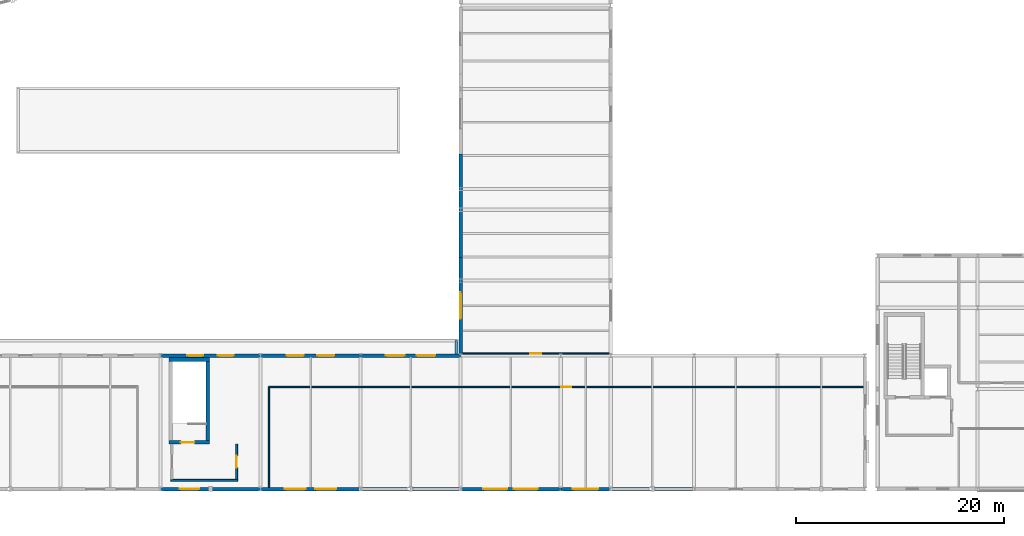
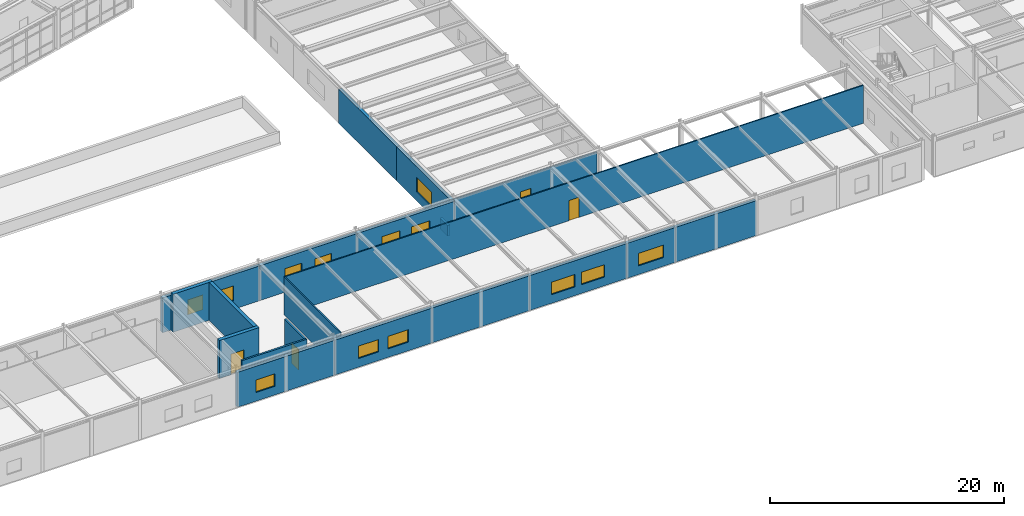
# One storey, part 81 of 99: 20 walls, 13 windows, 4 doors, 17 openings.
"""IFC4 building model written with IfcOpenShell, lengths in metres."""

from ifc_helpers import new_model, si_unit, direction, frame, frame_2d, origin, place, context, subcontext, project, spatial, rectangle, extrude, material, layer, layer_set, type_object, element, fill, save


model = new_model("IFC4")

# Units and contexts
model_context = context("Model", 3, precision=1e-05, world=origin(), true_north=direction((0.0, 1.0)))
body_context = subcontext(model_context, "Body", "Model", "MODEL_VIEW")
ifc_project = project(units=[si_unit("LENGTHUNIT", "METRE"), si_unit("AREAUNIT", "SQUARE_METRE"), si_unit("VOLUMEUNIT", "CUBIC_METRE"), si_unit("PLANEANGLEUNIT", "RADIAN"), si_unit("MASSUNIT", "GRAM", prefix="KILO")], contexts=[model_context])

# Site, building, storey
site_placement = place(None, origin())
site = spatial("IfcSite", under=ifc_project, at=site_placement, CompositionType="ELEMENT")
building_placement = place(site_placement, origin())
building = spatial("IfcBuilding", under=site, at=building_placement, Name="Nordkorset Police Headquarters", CompositionType="ELEMENT")
storey_placement = place(building_placement, frame((0.0, 0.0, 5.25)))
storey = spatial("IfcBuildingStorey", under=building, at=storey_placement, Name="L01", CompositionType="ELEMENT", Elevation=5.25)

# Wall
ifc_material_1 = material(Name="Gypsum board", Category="gypsum")
ifc_layer_1 = layer(ifc_material_1, 0.179931640625, Name="Gypsum board")
ifc_layer_set_1 = layer_set([ifc_layer_1], Name="Gypsum board")
wall_type_1 = type_object("IfcWallType", Name="Wall_Comp_180", PredefinedType="PARTITIONING", material=ifc_layer_set_1)
wall_1_placement = place(storey_placement, frame((58.60009765625, 0.840087890625, 0.0), z_axis=(0.0, 0.0, 1.0), x_axis=(1.0, 0.0, 0.0)))
element("IfcWall", 1, at=wall_1_placement, inside=storey, type_object=wall_type_1, Name="Firefighting Lobby EI 60 Wall K9 L01 S", PredefinedType="PARTITIONING", context=body_context, shape_type="SweptSolid", body=[
    extrude(rectangle(XDim=6.39990234375, YDim=0.179931640625, at=frame_2d((3.199951171875, 0.0))), origin(), (0.0, 0.0, 1.0), 3.9599609375),
])

# Wall, opening, door
wall_2_placement = place(storey_placement, frame((64.909912109375, 0.929931640625, 0.0), z_axis=(0.0, 0.0, 1.0), x_axis=(0.0, 1.0, 0.0)))
wall_2 = element("IfcWall", 2, at=wall_2_placement, inside=storey, type_object=wall_type_1, Name="Firefighting Lobby EI 60 Wall K9 L01 E", PredefinedType="PARTITIONING", context=body_context, shape_type="SweptSolid", body=[
    extrude(rectangle(XDim=3.375, YDim=0.179931640625, at=frame_2d((1.6875, 0.0))), origin(), (0.0, 0.0, 1.0), 3.9599609375),
])
opening_1_placement = place(wall_2_placement, frame((1.112548828125, 0.0, 0.0)))
opening_1 = element("IfcOpeningElement", 3, at=opening_1_placement, cuts=wall_2, Name="Opening DR-01", PredefinedType="OPENING", context=body_context, shape_type="SweptSolid", body=[
    extrude(rectangle(XDim=1.14990234375, YDim=2.14990234375, at=frame_2d((0.574951171875, 1.074951171875))), frame((0.0, 0.10009765625, 0.0), z_axis=(0.0, -1.0, 0.0), x_axis=(1.0, 0.0, 0.0)), (0.0, 0.0, 1.0), 0.199951171875),
])
ifc_material_2 = material(Name="Steel S355J2", Category="steel")
door_type_1 = type_object("IfcDoorType", Name="Door_LobbySingle_1150x2150", OperationType="NOTDEFINED", PredefinedType="DOOR", material=ifc_material_2)
door_1_placement = place(opening_1_placement, origin())
door_1 = element("IfcDoor", 4, at=door_1_placement, inside=storey, type_object=door_type_1, Name="Firefighting Lobby Smoke Door K9 L01 E", OperationType="SINGLE_SWING_RIGHT", OverallHeight=2.14990234375, OverallWidth=1.14990234375, PredefinedType="DOOR", context=body_context, shape_type="SweptSolid", body=[
    extrude(rectangle(XDim=1.14990234375, YDim=2.14990234375, at=frame_2d((0.574951171875, 1.074951171875))), frame((0.0, 0.02490234375, 0.0), z_axis=(0.0, -1.0, 0.0), x_axis=(1.0, 0.0, 0.0)), (0.0, 0.0, 1.0), 0.050048828125),
])
fill(opening_1, door_1)

ifc_material_3 = material(Name="Concrete C35/45", Category="concrete")
ifc_layer_2 = layer(ifc_material_3, 0.35009765625, Name="Concrete C35/45")
ifc_layer_set_2 = layer_set([ifc_layer_2], Name="Concrete C35/45")
wall_type_2 = type_object("IfcWallType", Name="Wall_CoreShear_350", PredefinedType="SHEAR", material=ifc_layer_set_2)
wall_3_placement = place(storey_placement, frame((58.425048828125, 4.47998046875, 0.0), z_axis=(0.0, 0.0, 1.0), x_axis=(1.0, 0.0, 0.0)))
wall_3 = element("IfcWall", 5, at=wall_3_placement, inside=storey, type_object=wall_type_2, Name="Core K9 Stair Shaft South Shear Wall L01", PredefinedType="SHEAR", context=body_context, shape_type="SweptSolid", body=[
    extrude(rectangle(XDim=3.89990234375, YDim=0.35009765625, at=frame_2d((1.949951171875, 0.0))), origin(), (0.0, 0.0, 1.0), 3.9599609375),
])
opening_2_placement = place(wall_3_placement, frame((1.125, 0.0, 0.0)))
opening_2 = element("IfcOpeningElement", 6, at=opening_2_placement, cuts=wall_3, Name="Opening DR-20", PredefinedType="OPENING", context=body_context, shape_type="SweptSolid", body=[
    extrude(rectangle(XDim=1.300048828125, YDim=2.14990234375, at=frame_2d((0.64990234375, 1.074951171875))), frame((0.0, 0.18505859375, 0.0), z_axis=(0.0, -1.0, 0.0), x_axis=(1.0, 0.0, 0.0)), (0.0, 0.0, 1.0), 0.3701171875),
])
ifc_material_4 = material(Name="Steel S355J2", Category="steel")
door_type_2 = type_object("IfcDoorType", Name="Door_Stair_1300x2150", OperationType="NOTDEFINED", PredefinedType="DOOR", material=ifc_material_4)
door_2_placement = place(opening_2_placement, frame((1.300048828125, 0.0, 0.0), z_axis=(0.0, 0.0, 1.0), x_axis=(-1.0, 0.0, 0.0)))
door_2 = element("IfcDoor", 7, at=door_2_placement, inside=storey, type_object=door_type_2, Name="Protected Stair Fire Door ST-10 L01", OperationType="SINGLE_SWING_RIGHT", OverallHeight=2.14990234375, OverallWidth=1.300048828125, PredefinedType="DOOR", context=body_context, shape_type="SweptSolid", body=[
    extrude(rectangle(XDim=1.300048828125, YDim=2.14990234375, at=frame_2d((0.64990234375, 1.074951171875))), frame((0.0, 0.02490234375, 0.0), z_axis=(0.0, -1.0, 0.0), x_axis=(1.0, 0.0, 0.0)), (0.0, 0.0, 1.0), 0.050048828125),
])
fill(opening_2, door_2)

# Walls
wall_4_placement = place(storey_placement, frame((58.425048828125, 12.429931640625, 0.0), z_axis=(0.0, 0.0, 1.0), x_axis=(1.0, 0.0, 0.0)))
element("IfcWall", 8, at=wall_4_placement, inside=storey, type_object=wall_type_2, Name="Core K9 Stair Shaft North Shear Wall L01", PredefinedType="SHEAR", context=body_context, shape_type="SweptSolid", body=[
    extrude(rectangle(XDim=3.89990234375, YDim=0.35009765625, at=frame_2d((1.949951171875, 0.0))), origin(), (0.0, 0.0, 1.0), 3.9599609375),
])
wall_5_placement = place(storey_placement, frame((62.14990234375, 4.655029296875, 0.0), z_axis=(0.0, 0.0, 1.0), x_axis=(0.0, 1.0, 0.0)))
element("IfcWall", 9, at=wall_5_placement, inside=storey, type_object=wall_type_2, Name="Core K9 Stair Shaft East Shear Wall L01", PredefinedType="SHEAR", context=body_context, shape_type="SweptSolid", body=[
    extrude(rectangle(XDim=7.599853515625, YDim=0.35009765625, at=frame_2d((3.7998046875, 0.0))), origin(), (0.0, 0.0, 1.0), 3.9599609375),
])

# Wall, opening, window
ifc_material_5 = material(Name="Precast concrete C40/50", Category="concrete")
ifc_layer_3 = layer(ifc_material_5, 0.320068359375, Name="Precast concrete C40/50")
ifc_layer_set_3 = layer_set([ifc_layer_3], Name="Precast concrete C40/50")
wall_type_3 = type_object("IfcWallType", Name="Wall_ExtPlinth_320", PredefinedType="SOLIDWALL", material=ifc_layer_set_3)
wall_6_placement = place(storey_placement, frame((57.60791015625, 0.0, 0.0), z_axis=(0.0, 0.0, 1.0), x_axis=(1.0, 0.0, 0.0)))
wall_6 = element("IfcWall", 10, at=wall_6_placement, inside=storey, type_object=wall_type_3, Name="Exterior Insulated Precast Wall L01 V7S-6", PredefinedType="SOLIDWALL", context=body_context, shape_type="SweptSolid", body=[
    extrude(rectangle(XDim=9.583984375, YDim=0.320068359375, at=frame_2d((4.7919921875, 0.0))), origin(), (0.0, 0.0, 1.0), 3.635009765625),
])
opening_3_placement = place(wall_6_placement, frame((1.850341796875, 0.0, 0.89990234375)))
opening_3 = element("IfcOpeningElement", 11, at=opening_3_placement, cuts=wall_6, Name="Opening WN-20", PredefinedType="OPENING", context=body_context, shape_type="SweptSolid", body=[
    extrude(rectangle(XDim=1.85009765625, YDim=1.300048828125, at=frame_2d((0.925048828125, 0.64990234375))), frame((0.0, 0.169921875, 0.0), z_axis=(0.0, -1.0, 0.0), x_axis=(1.0, 0.0, 0.0)), (0.0, 0.0, 1.0), 0.340087890625),
])
ifc_material_6 = material(Name="Low-iron triple glazing", Category="glass")
window_type_1 = type_object("IfcWindowType", Name="Win_1850x1300", PartitioningType="SINGLE_PANEL", PredefinedType="WINDOW", material=ifc_material_6)
window_1_placement = place(opening_3_placement, origin())
window_1 = element("IfcWindow", 12, at=window_1_placement, inside=storey, type_object=window_type_1, Name="Triple-Glazed Exterior Window L01 V7S-6-1", OverallHeight=1.300048828125, OverallWidth=1.85009765625, PartitioningType="SINGLE_PANEL", PredefinedType="WINDOW", context=body_context, shape_type="SweptSolid", body=[
    extrude(rectangle(XDim=1.85009765625, YDim=1.300048828125, at=frame_2d((0.925048828125, 0.64990234375))), frame((0.0, 0.030029296875, 0.0), z_axis=(0.0, -1.0, 0.0), x_axis=(1.0, 0.0, 0.0)), (0.0, 0.0, 1.0), 0.06005859375),
])
fill(opening_3, window_1)

# Wall, openings, windows
wall_7_placement = place(storey_placement, frame((67.2080078125, 0.0, 0.0), z_axis=(0.0, 0.0, 1.0), x_axis=(1.0, 0.0, 0.0)))
wall_7 = element("IfcWall", 13, at=wall_7_placement, inside=storey, type_object=wall_type_3, Name="Exterior Insulated Precast Wall L01 V7S-7", PredefinedType="SOLIDWALL", context=body_context, shape_type="SweptSolid", body=[
    extrude(rectangle(XDim=9.583984375, YDim=0.320068359375, at=frame_2d((4.7919921875, 0.0))), origin(), (0.0, 0.0, 1.0), 3.635009765625),
])
opening_4_placement = place(wall_7_placement, frame((2.3251953125, 0.0, 0.89990234375)))
opening_4 = element("IfcOpeningElement", 14, at=opening_4_placement, cuts=wall_7, Name="Opening WN-38", PredefinedType="OPENING", context=body_context, shape_type="SweptSolid", body=[
    extrude(rectangle(XDim=2.0, YDim=1.300048828125, at=frame_2d((1.0, 0.64990234375))), frame((0.0, 0.169921875, 0.0), z_axis=(0.0, -1.0, 0.0), x_axis=(1.0, 0.0, 0.0)), (0.0, 0.0, 1.0), 0.340087890625),
])
opening_5_placement = place(wall_7_placement, frame((5.2587890625, 0.0, 0.89990234375)))
opening_5 = element("IfcOpeningElement", 15, at=opening_5_placement, cuts=wall_7, Name="Opening WN-38", PredefinedType="OPENING", context=body_context, shape_type="SweptSolid", body=[
    extrude(rectangle(XDim=2.0, YDim=1.300048828125, at=frame_2d((1.0, 0.64990234375))), frame((0.0, 0.169921875, 0.0), z_axis=(0.0, -1.0, 0.0), x_axis=(1.0, 0.0, 0.0)), (0.0, 0.0, 1.0), 0.340087890625),
])
ifc_material_7 = material(Name="Low-iron triple glazing", Category="glass")
window_type_2 = type_object("IfcWindowType", Name="Win_2000x1300", PartitioningType="SINGLE_PANEL", PredefinedType="WINDOW", material=ifc_material_7)
window_2_placement = place(opening_4_placement, origin())
window_2 = element("IfcWindow", 16, at=window_2_placement, inside=storey, type_object=window_type_2, Name="Triple-Glazed Exterior Window L01 V7S-7-1", OverallHeight=1.300048828125, OverallWidth=2.0, PartitioningType="SINGLE_PANEL", PredefinedType="WINDOW", context=body_context, shape_type="SweptSolid", body=[
    extrude(rectangle(XDim=2.0, YDim=1.300048828125, at=frame_2d((1.0, 0.64990234375))), frame((0.0, 0.030029296875, 0.0), z_axis=(0.0, -1.0, 0.0), x_axis=(1.0, 0.0, 0.0)), (0.0, 0.0, 1.0), 0.06005859375),
])
fill(opening_4, window_2)
window_3_placement = place(opening_5_placement, origin())
window_3 = element("IfcWindow", 17, at=window_3_placement, inside=storey, type_object=window_type_2, Name="Triple-Glazed Exterior Window L01 V7S-7-2", OverallHeight=1.300048828125, OverallWidth=2.0, PartitioningType="SINGLE_PANEL", PredefinedType="WINDOW", context=body_context, shape_type="SweptSolid", body=[
    extrude(rectangle(XDim=2.0, YDim=1.300048828125, at=frame_2d((1.0, 0.64990234375))), frame((0.0, 0.030029296875, 0.0), z_axis=(0.0, -1.0, 0.0), x_axis=(1.0, 0.0, 0.0)), (0.0, 0.0, 1.0), 0.06005859375),
])
fill(opening_5, window_3)

# Wall
wall_8_placement = place(storey_placement, frame((76.80810546875, 0.0, 0.0), z_axis=(0.0, 0.0, 1.0), x_axis=(1.0, 0.0, 0.0)))
element("IfcWall", 18, at=wall_8_placement, inside=storey, type_object=wall_type_3, Name="Exterior Insulated Precast Wall L01 V7S-8", PredefinedType="SOLIDWALL", context=body_context, shape_type="SweptSolid", body=[
    extrude(rectangle(XDim=9.583984375, YDim=0.320068359375, at=frame_2d((4.7919921875, 0.0))), origin(), (0.0, 0.0, 1.0), 3.635009765625),
])

# Wall, openings, windows
wall_9_placement = place(storey_placement, frame((86.407958984375, 0.0, 0.0), z_axis=(0.0, 0.0, 1.0), x_axis=(1.0, 0.0, 0.0)))
wall_9 = element("IfcWall", 19, at=wall_9_placement, inside=storey, type_object=wall_type_3, Name="Exterior Insulated Precast Wall L01 V7S-9", PredefinedType="SOLIDWALL", context=body_context, shape_type="SweptSolid", body=[
    extrude(rectangle(XDim=9.583984375, YDim=0.320068359375, at=frame_2d((4.7919921875, 0.0))), origin(), (0.0, 0.0, 1.0), 3.635009765625),
])
opening_6_placement = place(wall_9_placement, frame((2.17529296875, 0.0, 0.89990234375)))
opening_6 = element("IfcOpeningElement", 20, at=opening_6_placement, cuts=wall_9, Name="Opening WN-32", PredefinedType="OPENING", context=body_context, shape_type="SweptSolid", body=[
    extrude(rectangle(XDim=2.300048828125, YDim=1.300048828125, at=frame_2d((1.14990234375, 0.64990234375))), frame((0.0, 0.169921875, 0.0), z_axis=(0.0, -1.0, 0.0), x_axis=(1.0, 0.0, 0.0)), (0.0, 0.0, 1.0), 0.340087890625),
])
opening_7_placement = place(wall_9_placement, frame((5.108642578125, 0.0, 0.89990234375)))
opening_7 = element("IfcOpeningElement", 21, at=opening_7_placement, cuts=wall_9, Name="Opening WN-32", PredefinedType="OPENING", context=body_context, shape_type="SweptSolid", body=[
    extrude(rectangle(XDim=2.300048828125, YDim=1.300048828125, at=frame_2d((1.14990234375, 0.64990234375))), frame((0.0, 0.169921875, 0.0), z_axis=(0.0, -1.0, 0.0), x_axis=(1.0, 0.0, 0.0)), (0.0, 0.0, 1.0), 0.340087890625),
])
ifc_material_8 = material(Name="Low-iron triple glazing", Category="glass")
window_type_3 = type_object("IfcWindowType", Name="Win_2300x1300", PartitioningType="SINGLE_PANEL", PredefinedType="WINDOW", material=ifc_material_8)
window_4_placement = place(opening_6_placement, origin())
window_4 = element("IfcWindow", 22, at=window_4_placement, inside=storey, type_object=window_type_3, Name="Triple-Glazed Exterior Window L01 V7S-9-1", OverallHeight=1.300048828125, OverallWidth=2.300048828125, PartitioningType="SINGLE_PANEL", PredefinedType="WINDOW", context=body_context, shape_type="SweptSolid", body=[
    extrude(rectangle(XDim=2.300048828125, YDim=1.300048828125, at=frame_2d((1.14990234375, 0.64990234375))), frame((0.0, 0.030029296875, 0.0), z_axis=(0.0, -1.0, 0.0), x_axis=(1.0, 0.0, 0.0)), (0.0, 0.0, 1.0), 0.06005859375),
])
fill(opening_6, window_4)
window_5_placement = place(opening_7_placement, origin())
window_5 = element("IfcWindow", 23, at=window_5_placement, inside=storey, type_object=window_type_3, Name="Triple-Glazed Exterior Window L01 V7S-9-2", OverallHeight=1.300048828125, OverallWidth=2.300048828125, PartitioningType="SINGLE_PANEL", PredefinedType="WINDOW", context=body_context, shape_type="SweptSolid", body=[
    extrude(rectangle(XDim=2.300048828125, YDim=1.300048828125, at=frame_2d((1.14990234375, 0.64990234375))), frame((0.0, 0.030029296875, 0.0), z_axis=(0.0, -1.0, 0.0), x_axis=(1.0, 0.0, 0.0)), (0.0, 0.0, 1.0), 0.06005859375),
])
fill(opening_7, window_5)

# Wall, opening, window
wall_10_placement = place(storey_placement, frame((96.008056640625, 0.0, 0.0), z_axis=(0.0, 0.0, 1.0), x_axis=(1.0, 0.0, 0.0)))
wall_10 = element("IfcWall", 24, at=wall_10_placement, inside=storey, type_object=wall_type_3, Name="Exterior Insulated Precast Wall L01 V7S-10", PredefinedType="SOLIDWALL", context=body_context, shape_type="SweptSolid", body=[
    extrude(rectangle(XDim=4.783935546875, YDim=0.320068359375, at=frame_2d((2.39208984375, 0.0))), origin(), (0.0, 0.0, 1.0), 3.635009765625),
])
opening_8_placement = place(wall_10_placement, frame((1.1669921875, 0.0, 0.89990234375)))
opening_8 = element("IfcOpeningElement", 25, at=opening_8_placement, cuts=wall_10, Name="Opening WN-46", PredefinedType="OPENING", context=body_context, shape_type="SweptSolid", body=[
    extrude(rectangle(XDim=2.449951171875, YDim=1.300048828125, at=frame_2d((1.22509765625, 0.64990234375))), frame((0.0, 0.169921875, 0.0), z_axis=(0.0, -1.0, 0.0), x_axis=(1.0, 0.0, 0.0)), (0.0, 0.0, 1.0), 0.340087890625),
])
ifc_material_9 = material(Name="Low-iron triple glazing", Category="glass")
window_type_4 = type_object("IfcWindowType", Name="Win_2450x1300", PartitioningType="SINGLE_PANEL", PredefinedType="WINDOW", material=ifc_material_9)
window_6_placement = place(opening_8_placement, origin())
window_6 = element("IfcWindow", 26, at=window_6_placement, inside=storey, type_object=window_type_4, Name="Triple-Glazed Exterior Window L01 V7S-10-1", OverallHeight=1.300048828125, OverallWidth=2.449951171875, PartitioningType="SINGLE_PANEL", PredefinedType="WINDOW", context=body_context, shape_type="SweptSolid", body=[
    extrude(rectangle(XDim=2.449951171875, YDim=1.300048828125, at=frame_2d((1.22509765625, 0.64990234375))), frame((0.0, 0.030029296875, 0.0), z_axis=(0.0, -1.0, 0.0), x_axis=(1.0, 0.0, 0.0)), (0.0, 0.0, 1.0), 0.06005859375),
])
fill(opening_8, window_6)

# Wall
wall_11_placement = place(storey_placement, frame((100.80810546875, 0.0, 0.0), z_axis=(0.0, 0.0, 1.0), x_axis=(1.0, 0.0, 0.0)))
element("IfcWall", 27, at=wall_11_placement, inside=storey, type_object=wall_type_3, Name="Exterior Insulated Precast Wall L01 V7S-11", PredefinedType="SOLIDWALL", context=body_context, shape_type="SweptSolid", body=[
    extrude(rectangle(XDim=7.98388671875, YDim=0.320068359375, at=frame_2d((3.991943359375, 0.0))), origin(), (0.0, 0.0, 1.0), 3.635009765625),
])

# Wall, opening, window
wall_12_placement = place(storey_placement, frame((86.39990234375, 12.971923828125, 0.0), z_axis=(0.0, 0.0, 1.0), x_axis=(0.0, 1.0, 0.0)))
wall_12 = element("IfcWall", 28, at=wall_12_placement, inside=storey, type_object=wall_type_3, Name="Exterior Insulated Precast Wall L01 V7E-IN-0", PredefinedType="SOLIDWALL", context=body_context, shape_type="SweptSolid", body=[
    extrude(rectangle(XDim=9.588134765625, YDim=0.320068359375, at=frame_2d((4.7939453125, 0.0))), origin(), (0.0, 0.0, 1.0), 3.554931640625),
])
opening_9_placement = place(wall_12_placement, frame((3.35302734375, 0.0, 0.89990234375)))
opening_9 = element("IfcOpeningElement", 29, at=opening_9_placement, cuts=wall_12, Name="Opening WN-06", PredefinedType="OPENING", context=body_context, shape_type="SweptSolid", body=[
    extrude(rectangle(XDim=2.550048828125, YDim=1.550048828125, at=frame_2d((1.27490234375, 0.77490234375))), frame((0.0, 0.169921875, 0.0), z_axis=(0.0, -1.0, 0.0), x_axis=(1.0, 0.0, 0.0)), (0.0, 0.0, 1.0), 0.340087890625),
])
ifc_material_10 = material(Name="Low-iron triple glazing", Category="glass")
window_type_5 = type_object("IfcWindowType", Name="Win_2550x1550", PartitioningType="SINGLE_PANEL", PredefinedType="WINDOW", material=ifc_material_10)
window_7_placement = place(opening_9_placement, origin())
window_7 = element("IfcWindow", 30, at=window_7_placement, inside=storey, type_object=window_type_5, Name="Triple-Glazed Exterior Window L01 V7E-IN-0-1", OverallHeight=1.550048828125, OverallWidth=2.550048828125, PartitioningType="SINGLE_PANEL", PredefinedType="WINDOW", context=body_context, shape_type="SweptSolid", body=[
    extrude(rectangle(XDim=2.550048828125, YDim=1.550048828125, at=frame_2d((1.27490234375, 0.77490234375))), frame((0.0, 0.030029296875, 0.0), z_axis=(0.0, -1.0, 0.0), x_axis=(1.0, 0.0, 0.0)), (0.0, 0.0, 1.0), 0.06005859375),
])
fill(opening_9, window_7)

# Wall
wall_13_placement = place(storey_placement, frame((86.39990234375, 22.239990234375, 0.0), z_axis=(0.0, 0.0, 1.0), x_axis=(0.0, 1.0, 0.0)))
element("IfcWall", 31, at=wall_13_placement, inside=storey, type_object=wall_type_3, Name="Exterior Insulated Precast Wall L01 V7E-IN-1", PredefinedType="SOLIDWALL", context=body_context, shape_type="SweptSolid", body=[
    extrude(rectangle(XDim=9.919921875, YDim=0.320068359375, at=frame_2d((4.9599609375, 0.0))), origin(), (0.0, 0.0, 1.0), 3.554931640625),
])

# Wall, openings, windows
wall_14_placement = place(storey_placement, frame((57.60791015625, 12.800048828125, 0.0), z_axis=(0.0, 0.0, 1.0), x_axis=(1.0, 0.0, 0.0)))
wall_14 = element("IfcWall", 32, at=wall_14_placement, inside=storey, type_object=wall_type_3, Name="Exterior Insulated Precast Wall L01 V7N-6", PredefinedType="SOLIDWALL", context=body_context, shape_type="SweptSolid", body=[
    extrude(rectangle(XDim=9.583984375, YDim=0.320068359375, at=frame_2d((4.7919921875, 0.0))), origin(), (0.0, 0.0, 1.0), 3.635009765625),
])
opening_10_placement = place(wall_14_placement, frame((2.5751953125, 0.0, 0.89990234375)))
opening_10 = element("IfcOpeningElement", 33, at=opening_10_placement, cuts=wall_14, Name="Opening WN-50", PredefinedType="OPENING", context=body_context, shape_type="SweptSolid", body=[
    extrude(rectangle(XDim=1.5, YDim=1.550048828125, at=frame_2d((0.75, 0.77490234375))), frame((0.0, 0.169921875, 0.0), z_axis=(0.0, -1.0, 0.0), x_axis=(1.0, 0.0, 0.0)), (0.0, 0.0, 1.0), 0.340087890625),
])
opening_11_placement = place(wall_14_placement, frame((5.5087890625, 0.0, 0.89990234375)))
opening_11 = element("IfcOpeningElement", 34, at=opening_11_placement, cuts=wall_14, Name="Opening WN-50", PredefinedType="OPENING", context=body_context, shape_type="SweptSolid", body=[
    extrude(rectangle(XDim=1.5, YDim=1.550048828125, at=frame_2d((0.75, 0.77490234375))), frame((0.0, 0.169921875, 0.0), z_axis=(0.0, -1.0, 0.0), x_axis=(1.0, 0.0, 0.0)), (0.0, 0.0, 1.0), 0.340087890625),
])
ifc_material_11 = material(Name="Low-iron triple glazing", Category="glass")
window_type_6 = type_object("IfcWindowType", Name="Win_1500x1550", PartitioningType="SINGLE_PANEL", PredefinedType="WINDOW", material=ifc_material_11)
window_8_placement = place(opening_10_placement, origin())
window_8 = element("IfcWindow", 35, at=window_8_placement, inside=storey, type_object=window_type_6, Name="Triple-Glazed Exterior Window L01 V7N-6-1", OverallHeight=1.550048828125, OverallWidth=1.5, PartitioningType="SINGLE_PANEL", PredefinedType="WINDOW", context=body_context, shape_type="SweptSolid", body=[
    extrude(rectangle(XDim=1.5, YDim=1.550048828125, at=frame_2d((0.75, 0.77490234375))), frame((0.0, 0.030029296875, 0.0), z_axis=(0.0, -1.0, 0.0), x_axis=(1.0, 0.0, 0.0)), (0.0, 0.0, 1.0), 0.06005859375),
])
fill(opening_10, window_8)
window_9_placement = place(opening_11_placement, origin())
window_9 = element("IfcWindow", 36, at=window_9_placement, inside=storey, type_object=window_type_6, Name="Triple-Glazed Exterior Window L01 V7N-6-2", OverallHeight=1.550048828125, OverallWidth=1.5, PartitioningType="SINGLE_PANEL", PredefinedType="WINDOW", context=body_context, shape_type="SweptSolid", body=[
    extrude(rectangle(XDim=1.5, YDim=1.550048828125, at=frame_2d((0.75, 0.77490234375))), frame((0.0, 0.030029296875, 0.0), z_axis=(0.0, -1.0, 0.0), x_axis=(1.0, 0.0, 0.0)), (0.0, 0.0, 1.0), 0.06005859375),
])
fill(opening_11, window_9)

wall_15_placement = place(storey_placement, frame((67.2080078125, 12.800048828125, 0.0), z_axis=(0.0, 0.0, 1.0), x_axis=(1.0, 0.0, 0.0)))
wall_15 = element("IfcWall", 37, at=wall_15_placement, inside=storey, type_object=wall_type_3, Name="Exterior Insulated Precast Wall L01 V7N-7", PredefinedType="SOLIDWALL", context=body_context, shape_type="SweptSolid", body=[
    extrude(rectangle(XDim=9.583984375, YDim=0.320068359375, at=frame_2d((4.7919921875, 0.0))), origin(), (0.0, 0.0, 1.0), 3.635009765625),
])
opening_12_placement = place(wall_15_placement, frame((2.500244140625, 0.0, 0.89990234375)))
opening_12 = element("IfcOpeningElement", 38, at=opening_12_placement, cuts=wall_15, Name="Opening WN-43", PredefinedType="OPENING", context=body_context, shape_type="SweptSolid", body=[
    extrude(rectangle(XDim=1.64990234375, YDim=1.550048828125, at=frame_2d((0.824951171875, 0.77490234375))), frame((0.0, 0.169921875, 0.0), z_axis=(0.0, -1.0, 0.0), x_axis=(1.0, 0.0, 0.0)), (0.0, 0.0, 1.0), 0.340087890625),
])
opening_13_placement = place(wall_15_placement, frame((5.43359375, 0.0, 0.89990234375)))
opening_13 = element("IfcOpeningElement", 39, at=opening_13_placement, cuts=wall_15, Name="Opening WN-43", PredefinedType="OPENING", context=body_context, shape_type="SweptSolid", body=[
    extrude(rectangle(XDim=1.64990234375, YDim=1.550048828125, at=frame_2d((0.824951171875, 0.77490234375))), frame((0.0, 0.169921875, 0.0), z_axis=(0.0, -1.0, 0.0), x_axis=(1.0, 0.0, 0.0)), (0.0, 0.0, 1.0), 0.340087890625),
])
ifc_material_12 = material(Name="Low-iron triple glazing", Category="glass")
window_type_7 = type_object("IfcWindowType", Name="Win_1650x1550", PartitioningType="SINGLE_PANEL", PredefinedType="WINDOW", material=ifc_material_12)
window_10_placement = place(opening_12_placement, origin())
window_10 = element("IfcWindow", 40, at=window_10_placement, inside=storey, type_object=window_type_7, Name="Triple-Glazed Exterior Window L01 V7N-7-1", OverallHeight=1.550048828125, OverallWidth=1.64990234375, PartitioningType="SINGLE_PANEL", PredefinedType="WINDOW", context=body_context, shape_type="SweptSolid", body=[
    extrude(rectangle(XDim=1.64990234375, YDim=1.550048828125, at=frame_2d((0.824951171875, 0.77490234375))), frame((0.0, 0.030029296875, 0.0), z_axis=(0.0, -1.0, 0.0), x_axis=(1.0, 0.0, 0.0)), (0.0, 0.0, 1.0), 0.06005859375),
])
fill(opening_12, window_10)
window_11_placement = place(opening_13_placement, origin())
window_11 = element("IfcWindow", 41, at=window_11_placement, inside=storey, type_object=window_type_7, Name="Triple-Glazed Exterior Window L01 V7N-7-2", OverallHeight=1.550048828125, OverallWidth=1.64990234375, PartitioningType="SINGLE_PANEL", PredefinedType="WINDOW", context=body_context, shape_type="SweptSolid", body=[
    extrude(rectangle(XDim=1.64990234375, YDim=1.550048828125, at=frame_2d((0.824951171875, 0.77490234375))), frame((0.0, 0.030029296875, 0.0), z_axis=(0.0, -1.0, 0.0), x_axis=(1.0, 0.0, 0.0)), (0.0, 0.0, 1.0), 0.06005859375),
])
fill(opening_13, window_11)

wall_16_placement = place(storey_placement, frame((76.80810546875, 12.800048828125, 0.0), z_axis=(0.0, 0.0, 1.0), x_axis=(1.0, 0.0, 0.0)))
wall_16 = element("IfcWall", 42, at=wall_16_placement, inside=storey, type_object=wall_type_3, Name="Exterior Insulated Precast Wall L01 V7N-8", PredefinedType="SOLIDWALL", context=body_context, shape_type="SweptSolid", body=[
    extrude(rectangle(XDim=9.583984375, YDim=0.320068359375, at=frame_2d((4.7919921875, 0.0))), origin(), (0.0, 0.0, 1.0), 3.635009765625),
])
opening_14_placement = place(wall_16_placement, frame((2.42529296875, 0.0, 0.89990234375)))
opening_14 = element("IfcOpeningElement", 43, at=opening_14_placement, cuts=wall_16, Name="Opening WN-26", PredefinedType="OPENING", context=body_context, shape_type="SweptSolid", body=[
    extrude(rectangle(XDim=1.800048828125, YDim=1.550048828125, at=frame_2d((0.89990234375, 0.77490234375))), frame((0.0, 0.169921875, 0.0), z_axis=(0.0, -1.0, 0.0), x_axis=(1.0, 0.0, 0.0)), (0.0, 0.0, 1.0), 0.340087890625),
])
opening_15_placement = place(wall_16_placement, frame((5.358642578125, 0.0, 0.89990234375)))
opening_15 = element("IfcOpeningElement", 44, at=opening_15_placement, cuts=wall_16, Name="Opening WN-26", PredefinedType="OPENING", context=body_context, shape_type="SweptSolid", body=[
    extrude(rectangle(XDim=1.800048828125, YDim=1.550048828125, at=frame_2d((0.89990234375, 0.77490234375))), frame((0.0, 0.169921875, 0.0), z_axis=(0.0, -1.0, 0.0), x_axis=(1.0, 0.0, 0.0)), (0.0, 0.0, 1.0), 0.340087890625),
])
ifc_material_13 = material(Name="Low-iron triple glazing", Category="glass")
window_type_8 = type_object("IfcWindowType", Name="Win_1800x1550", PartitioningType="SINGLE_PANEL", PredefinedType="WINDOW", material=ifc_material_13)
window_12_placement = place(opening_14_placement, origin())
window_12 = element("IfcWindow", 45, at=window_12_placement, inside=storey, type_object=window_type_8, Name="Triple-Glazed Exterior Window L01 V7N-8-1", OverallHeight=1.550048828125, OverallWidth=1.800048828125, PartitioningType="SINGLE_PANEL", PredefinedType="WINDOW", context=body_context, shape_type="SweptSolid", body=[
    extrude(rectangle(XDim=1.800048828125, YDim=1.550048828125, at=frame_2d((0.89990234375, 0.77490234375))), frame((0.0, 0.030029296875, 0.0), z_axis=(0.0, -1.0, 0.0), x_axis=(1.0, 0.0, 0.0)), (0.0, 0.0, 1.0), 0.06005859375),
])
fill(opening_14, window_12)
window_13_placement = place(opening_15_placement, origin())
window_13 = element("IfcWindow", 46, at=window_13_placement, inside=storey, type_object=window_type_8, Name="Triple-Glazed Exterior Window L01 V7N-8-2", OverallHeight=1.550048828125, OverallWidth=1.800048828125, PartitioningType="SINGLE_PANEL", PredefinedType="WINDOW", context=body_context, shape_type="SweptSolid", body=[
    extrude(rectangle(XDim=1.800048828125, YDim=1.550048828125, at=frame_2d((0.89990234375, 0.77490234375))), frame((0.0, 0.030029296875, 0.0), z_axis=(0.0, -1.0, 0.0), x_axis=(1.0, 0.0, 0.0)), (0.0, 0.0, 1.0), 0.06005859375),
])
fill(opening_15, window_13)

# Wall
ifc_material_14 = material(Name="Precast concrete C40/50", Category="concrete")
ifc_layer_4 = layer(ifc_material_14, 0.239990234375, Name="Precast concrete C40/50")
ifc_layer_set_4 = layer_set([ifc_layer_4], Name="Precast concrete C40/50")
wall_type_4 = type_object("IfcWallType", Name="Wall_Parapet_240", PredefinedType="PARAPET", material=ifc_layer_set_4)
wall_17_placement = place(storey_placement, frame((86.0, 12.949951171875, 0.0), z_axis=(0.0, 0.0, 1.0), x_axis=(0.0, 1.0, 0.0)))
element("IfcWall", 47, at=wall_17_placement, inside=storey, type_object=wall_type_4, Name="Flat Roof Parapet Wall V7STEP-L01-2", PredefinedType="PARAPET", context=body_context, shape_type="SweptSolid", body=[
    extrude(rectangle(XDim=1.300048828125, YDim=0.239990234375, at=frame_2d((0.64990234375, 0.0))), origin(), (0.0, 0.0, 1.0), 1.10009765625),
])

# Wall, opening, door
ifc_material_15 = material(Name="Gypsum board", Category="gypsum")
ifc_layer_5 = layer(ifc_material_15, 0.1201171875, Name="Gypsum board")
ifc_layer_set_5 = layer_set([ifc_layer_5], Name="Gypsum board")
wall_type_5 = type_object("IfcWallType", Name="Wall_Part_120", PredefinedType="PARTITIONING", material=ifc_layer_set_5)
wall_18_placement = place(storey_placement, frame((125.044921875, 9.800048828125, 0.0), z_axis=(0.0, 0.0, 1.0), x_axis=(-1.0, 0.0, 0.0)))
wall_18 = element("IfcWall", 48, at=wall_18_placement, inside=storey, type_object=wall_type_5, Name="Interior Partition Wall Facilities and Supply Management Suite", PredefinedType="PARTITIONING", context=body_context, shape_type="SweptSolid", body=[
    extrude(rectangle(XDim=57.044921875, YDim=0.1201171875, at=frame_2d((28.5224609375, 0.0))), origin(), (0.0, 0.0, 1.0), 3.9599609375),
])
opening_16_placement = place(wall_18_placement, frame((28.032470703125, 0.0, 0.0)))
opening_16 = element("IfcOpeningElement", 49, at=opening_16_placement, cuts=wall_18, Name="Opening DR-18", PredefinedType="OPENING", context=body_context, shape_type="SweptSolid", body=[
    extrude(rectangle(XDim=0.97998046875, YDim=2.10009765625, at=frame_2d((0.489990234375, 1.050048828125))), frame((0.0, 0.070068359375, 0.0), z_axis=(0.0, -1.0, 0.0), x_axis=(1.0, 0.0, 0.0)), (0.0, 0.0, 1.0), 0.14013671875),
])
ifc_material_16 = material(Name="Glulam GL30c", Category="wood")
door_type_3 = type_object("IfcDoorType", Name="Door_Office_980x2100", OperationType="NOTDEFINED", PredefinedType="DOOR", material=ifc_material_16)
door_3_placement = place(opening_16_placement, frame((0.97998046875, 0.0, 0.0), z_axis=(0.0, 0.0, 1.0), x_axis=(-1.0, 0.0, 0.0)))
door_3 = element("IfcDoor", 50, at=door_3_placement, inside=storey, type_object=door_type_3, Name="Interior Door Facilities and Supply Management Suite", OperationType="SINGLE_SWING_RIGHT", OverallHeight=2.10009765625, OverallWidth=0.97998046875, PredefinedType="DOOR", context=body_context, shape_type="SweptSolid", body=[
    extrude(rectangle(XDim=0.97998046875, YDim=2.10009765625, at=frame_2d((0.489990234375, 1.050048828125))), frame((0.0, 0.02490234375, 0.0), z_axis=(0.0, -1.0, 0.0), x_axis=(1.0, 0.0, 0.0)), (0.0, 0.0, 1.0), 0.050048828125),
])
fill(opening_16, door_3)

# Wall
wall_19_placement = place(storey_placement, frame((68.0, 9.800048828125, 0.0), z_axis=(0.0, 0.0, 1.0), x_axis=(0.0, -1.0, 0.0)))
element("IfcWall", 51, at=wall_19_placement, inside=storey, type_object=wall_type_5, Name="Interior Partition Wall Facilities and Supply Management Suite", PredefinedType="PARTITIONING", context=body_context, shape_type="SweptSolid", body=[
    extrude(rectangle(XDim=9.64501953125, YDim=0.1201171875, at=frame_2d((4.822509765625, 0.0))), origin(), (0.0, 0.0, 1.0), 3.9599609375),
])

# Wall, opening, door
wall_20_placement = place(storey_placement, frame((86.554931640625, 13.0, 0.0), z_axis=(0.0, 0.0, 1.0), x_axis=(1.0, 0.0, 0.0)))
wall_20 = element("IfcWall", 52, at=wall_20_placement, inside=storey, type_object=wall_type_5, Name="Interior Partition Wall Emergency Planning Liaison Suite", PredefinedType="PARTITIONING", context=body_context, shape_type="SweptSolid", body=[
    extrude(rectangle(XDim=14.090087890625, YDim=0.1201171875, at=frame_2d((7.044921875, 0.0))), origin(), (0.0, 0.0, 1.0), 3.635009765625),
])
opening_17_placement = place(wall_20_placement, frame((6.534912109375, 0.0, 0.0)))
opening_17 = element("IfcOpeningElement", 53, at=opening_17_placement, cuts=wall_20, Name="Opening DR-19", PredefinedType="OPENING", context=body_context, shape_type="SweptSolid", body=[
    extrude(rectangle(XDim=1.02001953125, YDim=2.10009765625, at=frame_2d((0.510009765625, 1.050048828125))), frame((0.0, 0.070068359375, 0.0), z_axis=(0.0, -1.0, 0.0), x_axis=(1.0, 0.0, 0.0)), (0.0, 0.0, 1.0), 0.14013671875),
])
ifc_material_17 = material(Name="Glulam GL30c", Category="wood")
door_type_4 = type_object("IfcDoorType", Name="Door_Office_1020x2100", OperationType="NOTDEFINED", PredefinedType="DOOR", material=ifc_material_17)
door_4_placement = place(opening_17_placement, origin())
door_4 = element("IfcDoor", 54, at=door_4_placement, inside=storey, type_object=door_type_4, Name="Interior Door Emergency Planning Liaison Suite", OperationType="SINGLE_SWING_LEFT", OverallHeight=2.10009765625, OverallWidth=1.02001953125, PredefinedType="DOOR", context=body_context, shape_type="SweptSolid", body=[
    extrude(rectangle(XDim=1.02001953125, YDim=2.10009765625, at=frame_2d((0.510009765625, 1.050048828125))), frame((0.0, 0.02490234375, 0.0), z_axis=(0.0, -1.0, 0.0), x_axis=(1.0, 0.0, 0.0)), (0.0, 0.0, 1.0), 0.050048828125),
])
fill(opening_17, door_4)

save(model, "model.ifc")
